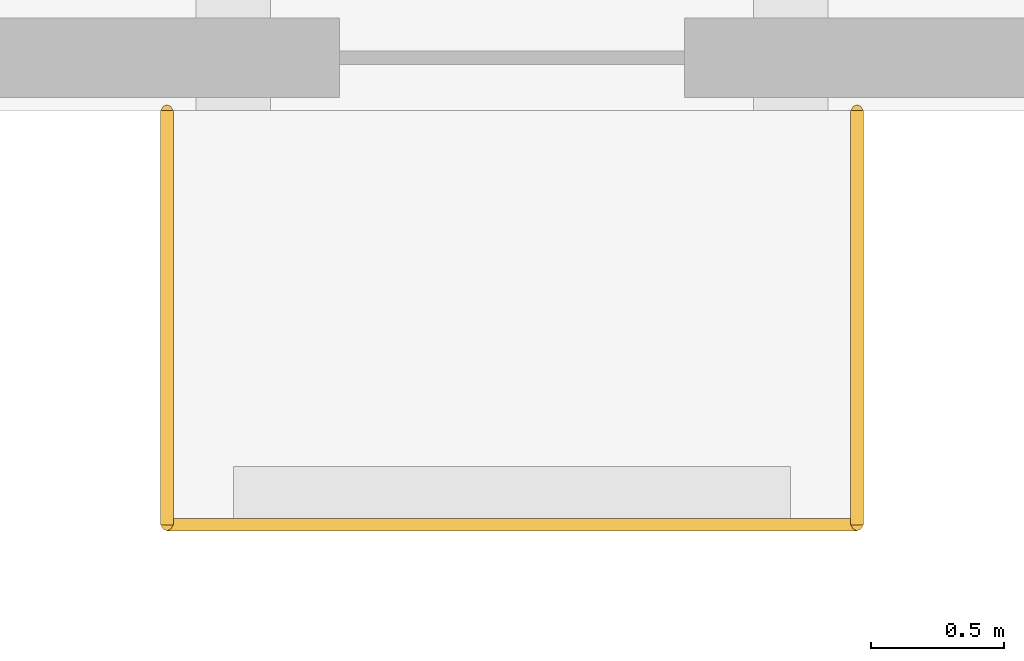
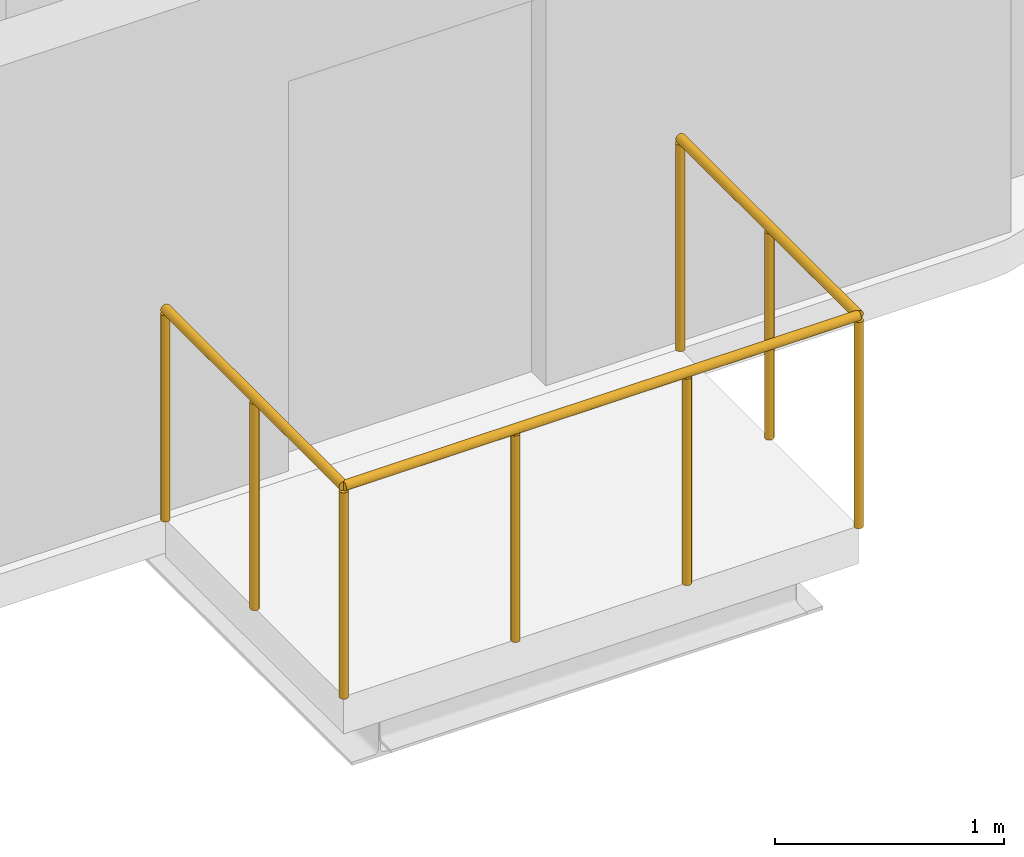
# One storey, part 7 of 7: 3 railings.
"""IFC4 building model written with IfcOpenShell, lengths in metres."""

from ifc_helpers import new_model, si_unit, direction, frame, origin, origin_2d, place, context, subcontext, project, spatial, circle, extrude, material, layer, layer_set, type_object, element, save


model = new_model("IFC4")

# Units and contexts
model_context = context("Model", 3, precision=1e-05, world=origin(), true_north=direction((0.0, 1.0)))
body_context = subcontext(model_context, "Body", "Model", "MODEL_VIEW")
ifc_project = project(units=[si_unit("LENGTHUNIT", "METRE"), si_unit("AREAUNIT", "SQUARE_METRE"), si_unit("VOLUMEUNIT", "CUBIC_METRE"), si_unit("PLANEANGLEUNIT", "RADIAN"), si_unit("MASSUNIT", "GRAM", prefix="KILO")], contexts=[model_context])

# Site, building, storey
site_placement = place(None, origin())
site = spatial("IfcSite", under=ifc_project, at=site_placement, CompositionType="ELEMENT")
building_placement = place(site_placement, origin())
building = spatial("IfcBuilding", under=site, at=building_placement, Name="Kuzgunbayir Cultural Tower", CompositionType="ELEMENT")
storey_placement = place(building_placement, frame((0.0, 0.0, 149.0)))
storey = spatial("IfcBuildingStorey", under=building, at=storey_placement, Name="L43", CompositionType="ELEMENT", Elevation=149.0)

# Railings
ifc_material = material(Name="Laminated Glass and Stainless Steel", Category="steel")
ifc_layer = layer(ifc_material, 0.080078125)
ifc_layer_set = layer_set([ifc_layer], Name="Laminated Glass and Stainless Steel")
railing_type = type_object("IfcRailingType", Name="RLG-BAL-115", PredefinedType="BALUSTRADE", material=ifc_layer_set)
railing_1_placement = place(storey_placement, frame((42.10009765625, 26.39990234375, 0.0)))
element("IfcRailing", 1, at=railing_1_placement, inside=storey, type_object=railing_type, Name="L43 Balcony Guard BAL-L43-WB3 Segment 1", PredefinedType="BALUSTRADE", context=body_context, shape_type="SweptSolid", body=[
    extrude(circle(Radius=0.02392578125, at=origin_2d()), frame((0.0, 0.0, 1.1259765625), z_axis=(0.0, -1.0, 0.0), x_axis=(1.0, 0.0, 0.0)), (0.0, 0.0, 1.0), 1.559814453125),
    extrude(circle(Radius=0.02099609375, at=origin_2d()), origin(), (0.0, 0.0, 1.0), 1.101806640625),
    extrude(circle(Radius=0.02099609375, at=origin_2d()), frame((0.0, -0.77978515625, 0.0)), (0.0, 0.0, 1.0), 1.101806640625),
    extrude(circle(Radius=0.02099609375, at=origin_2d()), frame((0.0, -1.559814453125, 0.0)), (0.0, 0.0, 1.0), 1.101806640625),
])
railing_2_placement = place(storey_placement, frame((42.10009765625, 24.840087890625, 0.0)))
element("IfcRailing", 2, at=railing_2_placement, inside=storey, type_object=railing_type, Name="L43 Balcony Guard BAL-L43-WB3 Segment 2", PredefinedType="BALUSTRADE", context=body_context, shape_type="SweptSolid", body=[
    extrude(circle(Radius=0.02392578125, at=origin_2d()), frame((0.0, 0.0, 1.1259765625), z_axis=(1.0, 0.0, 0.0), x_axis=(0.0, 1.0, 0.0)), (0.0, 0.0, 1.0), 2.599853515625),
    extrude(circle(Radius=0.02099609375, at=origin_2d()), origin(), (0.0, 0.0, 1.0), 1.101806640625),
    extrude(circle(Radius=0.02099609375, at=origin_2d()), frame((0.86669921875, 0.0, 0.0)), (0.0, 0.0, 1.0), 1.101806640625),
    extrude(circle(Radius=0.02099609375, at=origin_2d()), frame((1.733154296875, 0.0, 0.0)), (0.0, 0.0, 1.0), 1.101806640625),
    extrude(circle(Radius=0.02099609375, at=origin_2d()), frame((2.599853515625, 0.0, 0.0)), (0.0, 0.0, 1.0), 1.101806640625),
])
railing_3_placement = place(storey_placement, frame((44.699951171875, 24.840087890625, 0.0)))
element("IfcRailing", 3, at=railing_3_placement, inside=storey, type_object=railing_type, Name="L43 Balcony Guard BAL-L43-WB3 Segment 3", PredefinedType="BALUSTRADE", context=body_context, shape_type="SweptSolid", body=[
    extrude(circle(Radius=0.02392578125, at=origin_2d()), frame((0.0, 0.0, 1.1259765625), z_axis=(0.0, 1.0, 0.0), x_axis=(-1.0, 0.0, 0.0)), (0.0, 0.0, 1.0), 1.559814453125),
    extrude(circle(Radius=0.02099609375, at=origin_2d()), origin(), (0.0, 0.0, 1.0), 1.101806640625),
    extrude(circle(Radius=0.02099609375, at=origin_2d()), frame((0.0, 0.77978515625, 0.0)), (0.0, 0.0, 1.0), 1.101806640625),
    extrude(circle(Radius=0.02099609375, at=origin_2d()), frame((0.0, 1.559814453125, 0.0)), (0.0, 0.0, 1.0), 1.101806640625),
])

save(model, "model.ifc")
